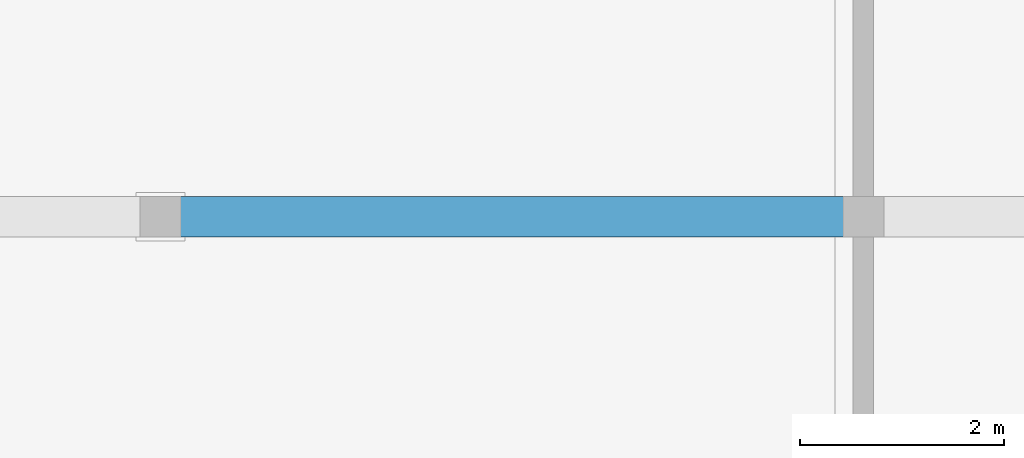
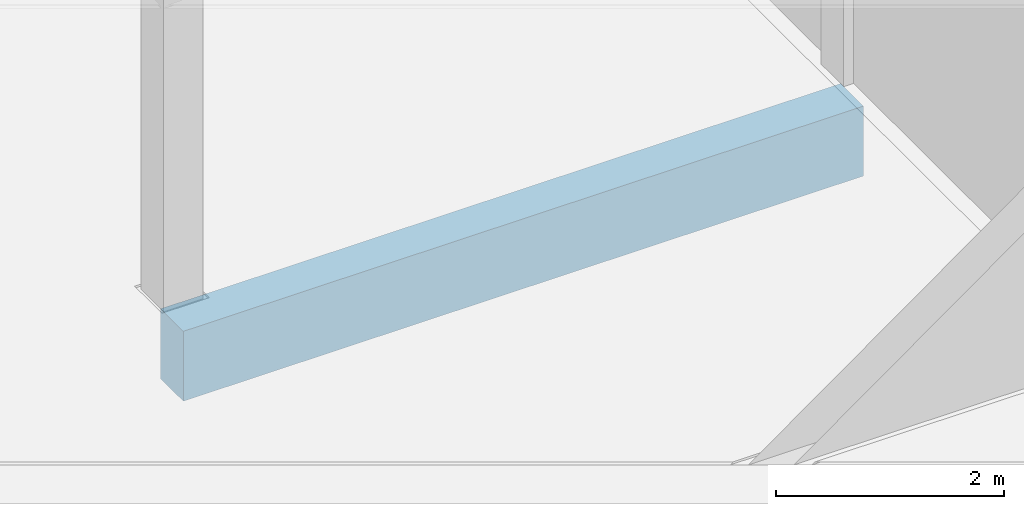
# One storey, part 25 of 189: 1 beam.
"""IFC4 building model written with IfcOpenShell, lengths in metres."""

import ifcopenshell
import ifcopenshell.guid

model = None  # the IFC model being written
_history = None  # IfcOwnerHistory: only IFC2X3 demands one
_inside = {}  # id of a spatial element -> (the spatial element, [elements in it])
_under = {}  # id of a project, library or spatial element -> (it, [spatial elements below it])
_declared = {}  # id of a project -> (the project, [libraries it declares])
_typed = {}  # id of a type object -> (the type object, [elements of that type])
_made_of = {}  # id of a material, layer set ... -> (it, [elements and type objects made of it])


def new_model(schema):
    """Start an empty IFC model of exactly this schema.

    Asked for "IFC4X3", IfcOpenShell would pick the latest addendum, in which some entities
    have other attributes; the version numbers below select the first issue.
    IFC2X3 requires an IfcOwnerHistory on every rooted entity: one is made here for all.
    """
    global model, _history
    if schema == "IFC4X3":
        model = ifcopenshell.file(schema_version=(4, 3, 0, 0))
    else:
        model = ifcopenshell.file(schema=schema)
    _inside.clear()
    _under.clear()
    _declared.clear()
    _typed.clear()
    _made_of.clear()
    _history = None
    if model.schema == "IFC2X3":
        org = make("IfcOrganization", Name="unknown")
        user = make(
            "IfcPersonAndOrganization",
            ThePerson=make("IfcPerson", FamilyName="unknown"),
            TheOrganization=org,
        )
        app = make(
            "IfcApplication",
            ApplicationDeveloper=org,
            Version="unknown",
            ApplicationFullName="unknown",
            ApplicationIdentifier="unknown",
        )
        _history = make(
            "IfcOwnerHistory",
            OwningUser=user,
            OwningApplication=app,
            ChangeAction="ADDED",
            CreationDate=0,
        )
    return model


def make(cls, **values):
    """One entity of the class cls with the attributes given. An attribute that is None is left unset."""
    return model.create_entity(
        cls, **{name: value for name, value in values.items() if value is not None}
    )


def rooted(cls, **values):
    """An entity with a GlobalId (a new one), such as an element, a storey or a relation."""
    return make(cls, GlobalId=ifcopenshell.guid.new(), OwnerHistory=_history, **values)


def si_unit(unit_type, name, prefix=None):
    """IfcSIUnit, for example si_unit("LENGTHUNIT", "METRE", prefix="MILLI")."""
    return make("IfcSIUnit", UnitType=unit_type, Prefix=prefix, Name=name)


def assignment(units):
    """IfcUnitAssignment: the units of a project."""
    return None if units is None else make("IfcUnitAssignment", Units=units)


def point(xyz):
    """IfcCartesianPoint."""
    return None if xyz is None else make("IfcCartesianPoint", Coordinates=xyz)


def direction(xyz):
    """IfcDirection."""
    return None if xyz is None else make("IfcDirection", DirectionRatios=xyz)


def frame(location, z_axis=None, x_axis=None):
    """IfcAxis2Placement3D, a coordinate frame: its origin and axes. An axis left out is left unset."""
    return make(
        "IfcAxis2Placement3D",
        Location=point(location),
        Axis=direction(z_axis),
        RefDirection=direction(x_axis),
    )


def frame_2d(location, x_axis=None):
    """IfcAxis2Placement2D, a coordinate frame in the plane: its origin and x axis."""
    return make(
        "IfcAxis2Placement2D", Location=point(location), RefDirection=direction(x_axis)
    )


def origin():
    """The frame at (0, 0, 0) with its axes left unset."""
    return frame((0.0, 0.0, 0.0))


def origin_2d():
    """The frame at (0, 0) in the plane with its x axis left unset."""
    return frame_2d((0.0, 0.0))


def place(relative_to, where):
    """IfcLocalPlacement: puts the frame where relative to a parent placement (None: the world)."""
    return make(
        "IfcLocalPlacement", PlacementRelTo=relative_to, RelativePlacement=where
    )


def context(
    kind, dimensions, precision=None, world=None, true_north=None, identifier=None
):
    """IfcGeometricRepresentationContext, for example the 3D "Model" context."""
    return make(
        "IfcGeometricRepresentationContext",
        ContextIdentifier=identifier,
        ContextType=kind,
        CoordinateSpaceDimension=dimensions,
        Precision=precision,
        WorldCoordinateSystem=world,
        TrueNorth=true_north,
    )


def subcontext(parent, identifier, kind, view, scale=None):
    """IfcGeometricRepresentationSubContext, for example "Body" below "Model"."""
    return make(
        "IfcGeometricRepresentationSubContext",
        ContextIdentifier=identifier,
        ContextType=kind,
        ParentContext=parent,
        TargetScale=scale,
        TargetView=view,
    )


def project(units=None, contexts=None):
    """IfcProject with its units and contexts."""
    return rooted(
        "IfcProject",
        Name="project",
        RepresentationContexts=contexts,
        UnitsInContext=assignment(units),
    )


def spatial(cls, under=None, at=None, **own):
    """A site, building, storey or space (cls), placed at a placement, below another one or the project."""
    s = rooted(cls, ObjectPlacement=at, **own)
    if under is not None:
        _under.setdefault(under.id(), (under, []))[1].append(s)
    return s


def profile(cls, at=None, kind="AREA", **sizes):
    """A parametric profile (cls). Its sizes go by their IFC names, for example OverallWidth=200.0."""
    return make(cls, ProfileType=kind, Position=at, **sizes)


def rectangle(**sizes):
    """IfcRectangleProfileDef."""
    return profile("IfcRectangleProfileDef", **sizes)


def extrude(swept, where, along, depth):
    """IfcExtrudedAreaSolid: the profile swept, set in the frame where, extruded along a direction by depth."""
    return make(
        "IfcExtrudedAreaSolid",
        SweptArea=swept,
        Position=where,
        ExtrudedDirection=direction(along),
        Depth=depth,
    )


def shape(context_of_items, identifier, shape_type, items):
    """IfcShapeRepresentation: the items that make up one representation, for example the "Body"."""
    return make(
        "IfcShapeRepresentation",
        ContextOfItems=context_of_items,
        RepresentationIdentifier=identifier,
        RepresentationType=shape_type,
        Items=items,
    )


def material(Name=None, Category=None):
    """IfcMaterial."""
    return make("IfcMaterial", Name=Name, Category=Category)


def material_profile(
    of_material, cross_section, Name=None, Category=None, Priority=None
):
    """IfcMaterialProfile: a cross section and its material."""
    return make(
        "IfcMaterialProfile",
        Name=Name,
        Material=of_material,
        Profile=cross_section,
        Priority=Priority,
        Category=Category,
    )


def profile_set(profiles, Name=None, composite=None):
    """IfcMaterialProfileSet."""
    return make(
        "IfcMaterialProfileSet",
        Name=Name,
        MaterialProfiles=profiles,
        CompositeProfile=composite,
    )


def made_of(thing, what):
    """Note that an element or type object is made of a material, layer set ...; save() writes the relation."""
    if what is not None:
        _made_of.setdefault(what.id(), (what, []))[1].append(thing)
    return thing


def type_object(cls, material=None, **own):
    """A type object (cls), such as IfcWallType, which elements share."""
    return made_of(rooted(cls, **own), material)


def element(
    cls,
    number,
    at=None,
    inside=None,
    cuts=None,
    type_object=None,
    material=None,
    context=None,
    identifier="Body",
    shape_type=None,
    held_by="IfcProductDefinitionShape",
    body=None,
    shapes=None,
    **own,
):
    """One element of the class cls, such as IfcWall. Its Tag is "e" and its number.

    at: its placement. inside: the storey or other place that contains it. cuts: it is an
    opening in that element (IfcRelVoidsElement). A single representation is given by context,
    identifier, shape_type and body (its items); several are given by shapes. held_by: the class
    of the entity that holds the representations. save() writes the other relations.
    """
    e = rooted(cls, Tag="e%d" % number, ObjectPlacement=at, **own)
    if body is not None:
        shapes = [shape(context, identifier, shape_type, body)]
    if shapes is not None:
        e.Representation = make(held_by, Representations=shapes)
    if inside is not None:
        _inside.setdefault(inside.id(), (inside, []))[1].append(e)
    if cuts is not None:
        rooted(
            "IfcRelVoidsElement", RelatingBuildingElement=cuts, RelatedOpeningElement=e
        )
    if type_object is not None:
        _typed.setdefault(type_object.id(), (type_object, []))[1].append(e)
    return made_of(e, material)


def aggregate(whole, parts):
    """IfcRelAggregates: a whole, such as a stair, and the parts it consists of."""
    return rooted("IfcRelAggregates", RelatingObject=whole, RelatedObjects=parts)


def save(model, path):
    """Write the relations noted so far, then the file.

    IfcRelAggregates (storeys below a building ...), IfcRelContainedInSpatialStructure (elements
    in a storey), IfcRelDefinesByType, IfcRelAssociatesMaterial and IfcRelDeclares: one each for
    every whole, place, type object, material and project.
    """
    for whole, parts in _under.values():
        aggregate(whole, parts)
    for where, things in _inside.values():
        rooted(
            "IfcRelContainedInSpatialStructure",
            RelatedElements=things,
            RelatingStructure=where,
        )
    for kind, things in _typed.values():
        rooted("IfcRelDefinesByType", RelatedObjects=things, RelatingType=kind)
    for what, things in _made_of.values():
        rooted("IfcRelAssociatesMaterial", RelatedObjects=things, RelatingMaterial=what)
    for by, libraries in _declared.values():
        rooted("IfcRelDeclares", RelatingContext=by, RelatedDefinitions=libraries)
    model.write(path)


model = new_model("IFC4")

# Units and contexts
model_context = context("Model", 3, precision=1e-05, world=origin(), true_north=direction((0.0, 1.0)))
body_context = subcontext(model_context, "Body", "Model", "MODEL_VIEW")
ifc_project = project(units=[si_unit("LENGTHUNIT", "METRE"), si_unit("AREAUNIT", "SQUARE_METRE"), si_unit("VOLUMEUNIT", "CUBIC_METRE"), si_unit("PLANEANGLEUNIT", "RADIAN"), si_unit("MASSUNIT", "GRAM", prefix="KILO")], contexts=[model_context])

# Site, building, storey
site_placement = place(None, origin())
site = spatial("IfcSite", under=ifc_project, at=site_placement, CompositionType="ELEMENT")
building_placement = place(site_placement, origin())
building = spatial("IfcBuilding", under=site, at=building_placement, Name="Zavelmont Quarter", CompositionType="ELEMENT")
storey_placement = place(building_placement, frame((0.0, 0.0, 4.39990234375)))
storey = spatial("IfcBuildingStorey", under=building, at=storey_placement, Name="L01", CompositionType="ELEMENT", Elevation=4.39990234375)

# Beam
ifc_material = material(Name="Concrete C40/50", Category="concrete")
ifc_material_profile = material_profile(ifc_material, rectangle(XDim=0.39990234375, YDim=0.75, at=origin_2d()), Name="RC400X750")
ifc_profile_set = profile_set([ifc_material_profile], Name="Concrete C40/50")
beam_type = type_object("IfcBeamType", Name="BM05", PredefinedType="BEAM", material=ifc_profile_set)
beam_placement = place(storey_placement, frame((6.89990234375, 46.0, -0.65478515625), z_axis=(1.0, 0.0, 0.0), x_axis=(0.0, 1.0, 0.0)))
element("IfcBeam", 1, at=beam_placement, inside=storey, type_object=beam_type, Name="L01 beam BM05 2/H to 3/H", PredefinedType="BEAM", context=body_context, shape_type="SweptSolid", body=[
    extrude(rectangle(XDim=0.39990234375, YDim=0.75, at=origin_2d()), origin(), (0.0, 0.0, 1.0), 6.900146484375),
])

save(model, "model.ifc")
